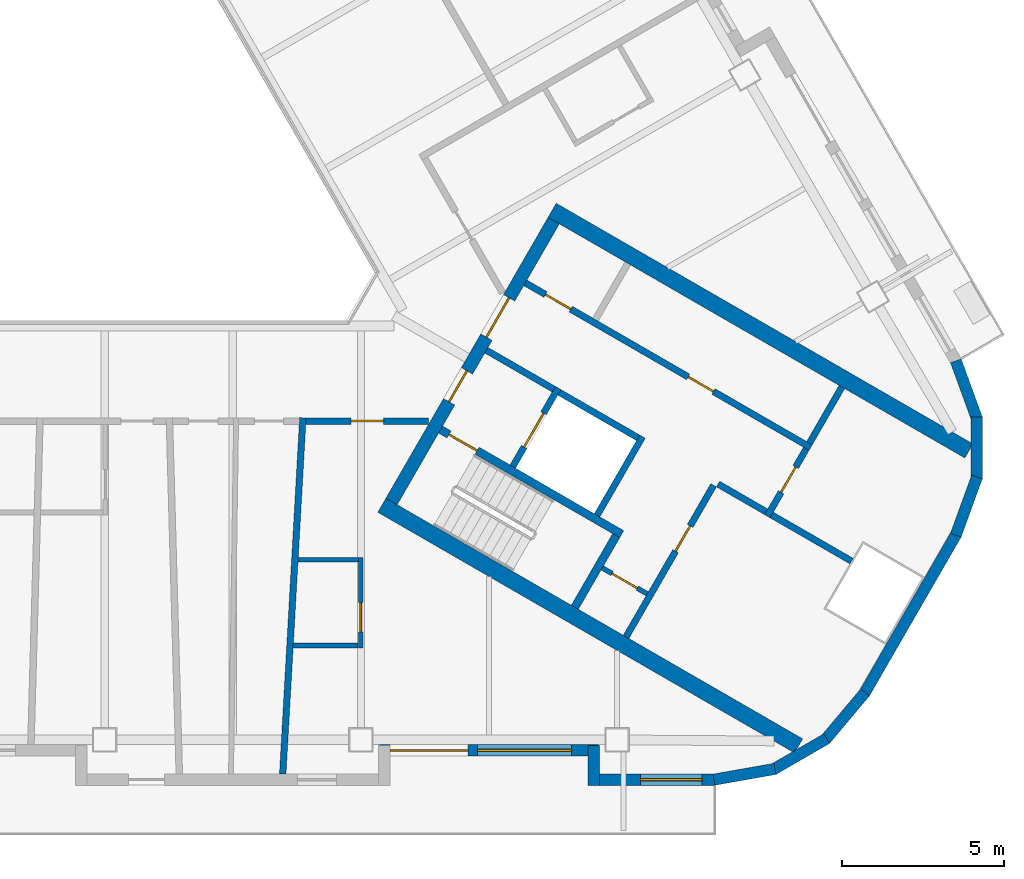
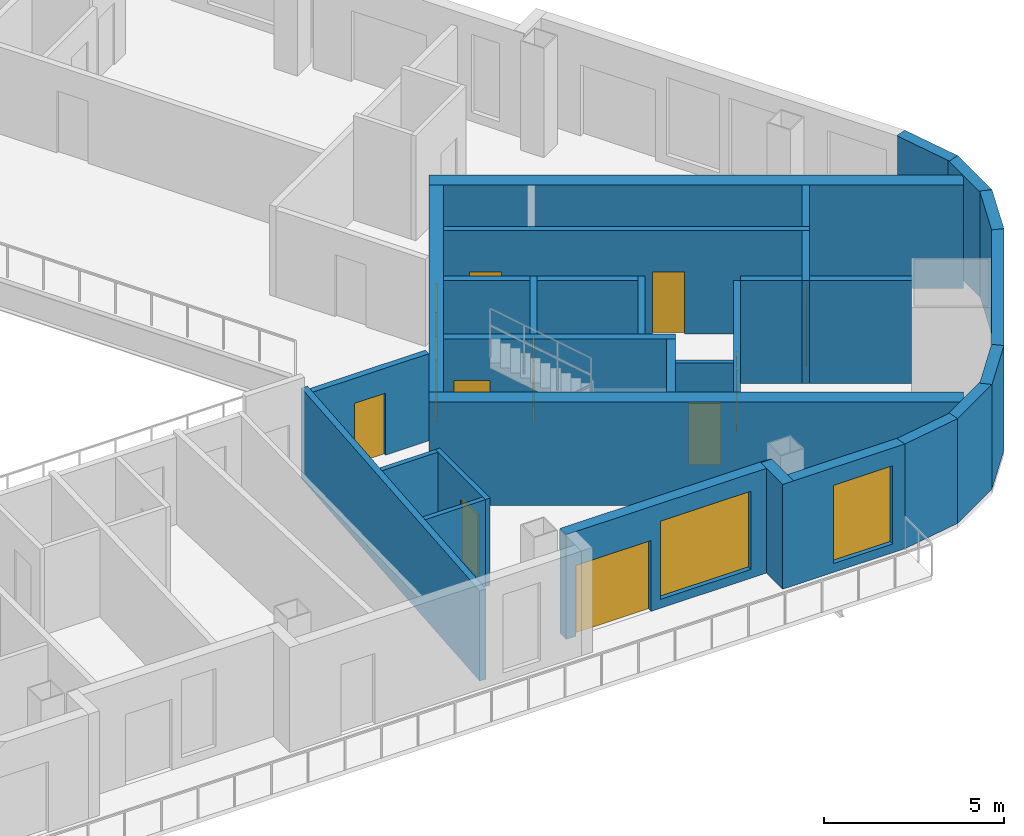
# One storey, part 5 of 14: 31 walls, 12 doors, 2 windows, 14 openings.
"""IFC4 building model written with IfcOpenShell, lengths in metres."""

from ifc_helpers import new_model, si_unit, direction, frame, frame_2d, origin, place, context, subcontext, project, spatial, rectangle, extrude, material, layer, layer_set, type_object, element, fill, save


model = new_model("IFC4")

# Units and contexts
model_context = context("Model", 3, precision=1e-05, world=origin(), true_north=direction((0.0, 1.0)))
body_context = subcontext(model_context, "Body", "Model", "MODEL_VIEW")
ifc_project = project(units=[si_unit("LENGTHUNIT", "METRE"), si_unit("AREAUNIT", "SQUARE_METRE"), si_unit("VOLUMEUNIT", "CUBIC_METRE"), si_unit("PLANEANGLEUNIT", "RADIAN"), si_unit("MASSUNIT", "GRAM", prefix="KILO")], contexts=[model_context])

# Site, building, storey
site_placement = place(None, origin())
site = spatial("IfcSite", under=ifc_project, at=site_placement, CompositionType="ELEMENT")
building_placement = place(site_placement, origin())
building = spatial("IfcBuilding", under=site, at=building_placement, Name="Apuvela Tower Hotel", CompositionType="ELEMENT")
storey_placement = place(building_placement, frame((0.0, 0.0, 216.89990234375)))
storey = spatial("IfcBuildingStorey", under=building, at=storey_placement, Name="L53", CompositionType="ELEMENT", Elevation=216.89990234375)

# Wall, openings, doors
ifc_material_1 = material(Name="Concrete C50/60", Category="concrete")
ifc_layer_1 = layer(ifc_material_1, 0.39990234375)
ifc_layer_set_1 = layer_set([ifc_layer_1], Name="COR-WALL-CORE-400")
wall_type_1 = type_object("IfcWallType", Name="COR-WALL-CORE-400", PredefinedType="SHEAR", material=ifc_layer_set_1)
wall_1_placement = place(storey_placement, frame((8.844970703125, -10.880126953125, 0.0), z_axis=(0.0, 0.0, 1.0), x_axis=(0.500004234368, 0.866022959057, 0.0)))
wall_1 = element("IfcWall", 1, at=wall_1_placement, inside=storey, type_object=wall_type_1, Name="Core wall SE", PredefinedType="SHEAR", context=body_context, shape_type="SweptSolid", body=[
    extrude(rectangle(XDim=10.0, YDim=0.39990234375, at=frame_2d((5.0, 0.0))), origin(), (0.0, 0.0, 1.0), 3.5),
])
opening_1_placement = place(wall_1_placement, frame((3.550048828125, 0.0, 0.0)))
opening_1 = element("IfcOpeningElement", 2, at=opening_1_placement, cuts=wall_1, Name="Opening E-FD", PredefinedType="OPENING", context=body_context, shape_type="SweptSolid", body=[
    extrude(rectangle(XDim=1.10009765625, YDim=2.10009765625, at=frame_2d((0.550048828125, 1.050048828125))), frame((0.0, 0.2099609375, 0.0), z_axis=(0.0, -1.0, 0.0), x_axis=(1.0, 0.0, 0.0)), (0.0, 0.0, 1.0), 0.419921875),
])
opening_2_placement = place(wall_1_placement, frame((5.85009765625, 0.0, 0.0)))
opening_2 = element("IfcOpeningElement", 3, at=opening_2_placement, cuts=wall_1, Name="Opening E-GD", PredefinedType="OPENING", context=body_context, shape_type="SweptSolid", body=[
    extrude(rectangle(XDim=1.39990234375, YDim=2.10009765625, at=frame_2d((0.699951171875, 1.050048828125))), frame((0.0, 0.2099609375, 0.0), z_axis=(0.0, -1.0, 0.0), x_axis=(1.0, 0.0, 0.0)), (0.0, 0.0, 1.0), 0.419921875),
])
ifc_material_2 = material(Name="Steel fire door, powder coated", Category="steel")
door_type_1 = type_object("IfcDoorType", Name="COR-FD-1100", OperationType="NOTDEFINED", PredefinedType="DOOR", material=ifc_material_2)
door_1_placement = place(opening_1_placement, frame((1.10009765625, 0.0, 0.0), z_axis=(0.0, 0.0, 1.0), x_axis=(-1.0, 0.0, 0.0)))
door_1 = element("IfcDoor", 4, at=door_1_placement, inside=storey, type_object=door_type_1, Name="Firefighting lobby door E-FD", OperationType="SINGLE_SWING_LEFT", OverallHeight=2.10009765625, OverallWidth=1.10009765625, PredefinedType="DOOR", context=body_context, shape_type="SweptSolid", body=[
    extrude(rectangle(XDim=1.10009765625, YDim=2.10009765625, at=frame_2d((0.550048828125, 1.050048828125))), frame((0.0, 0.02490234375, 0.0), z_axis=(0.0, -1.0, 0.0), x_axis=(1.0, 0.0, 0.0)), (0.0, 0.0, 1.0), 0.050048828125),
])
fill(opening_1, door_1)
ifc_material_3 = material(Name="Glazed steel fire door", Category="steel")
door_type_2 = type_object("IfcDoorType", Name="COR-GD-1400", OperationType="DOUBLE_DOOR_SINGLE_SWING", PredefinedType="DOOR", material=ifc_material_3)
door_2_placement = place(opening_2_placement, frame((1.39990234375, 0.0, 0.0), z_axis=(0.0, 0.0, 1.0), x_axis=(-1.0, 0.0, 0.0)))
door_2 = element("IfcDoor", 5, at=door_2_placement, inside=storey, type_object=door_type_2, Name="Lift lobby door E-GD", OperationType="DOUBLE_DOOR_SINGLE_SWING", OverallHeight=2.10009765625, OverallWidth=1.39990234375, PredefinedType="DOOR", context=body_context, shape_type="SweptSolid", body=[
    extrude(rectangle(XDim=1.39990234375, YDim=2.10009765625, at=frame_2d((0.699951171875, 1.050048828125))), frame((0.0, 0.02490234375, 0.0), z_axis=(0.0, -1.0, 0.0), x_axis=(1.0, 0.0, 0.0)), (0.0, 0.0, 1.0), 0.050048828125),
])
fill(opening_2, door_2)

# Walls
ifc_layer_2 = layer(ifc_material_1, 0.5)
ifc_layer_set_2 = layer_set([ifc_layer_2], Name="COR-WALL-CORE-500")
wall_type_2 = type_object("IfcWallType", Name="COR-WALL-CORE-500", PredefinedType="SHEAR", material=ifc_layer_set_2)
for number, where, z_axis, x_axis, name in (
    (6, (8.546630859375, -10.99658203125, 0.0), (0.0, 0.0, 1.0), (0.866025009528, -0.500000682871, 0.0), "Core wall SE"),
    (7, (13.796630859375, -1.9033203125, 0.0), (0.0, 0.0, 1.0), (0.866025009528, -0.500000682871, 0.0), "Core wall SE"),
):
    element("IfcWall", number, at=place(storey_placement, frame(where, z_axis=z_axis, x_axis=x_axis)), inside=storey, type_object=wall_type_2, Name=name, PredefinedType="SHEAR", context=body_context, shape_type="SweptSolid", body=[
        extrude(rectangle(XDim=14.8369140625, YDim=0.5, at=frame_2d((7.41845703125, 0.0))), origin(), (0.0, 0.0, 1.0), 3.5),
    ])

# Wall, opening, door
ifc_material_4 = material(Name="Blockwork 150 mm plastered", Category="masonry")
ifc_layer_3 = layer(ifc_material_4, 0.14990234375)
ifc_layer_set_3 = layer_set([ifc_layer_3], Name="COR-WALL-PART-150")
wall_type_3 = type_object("IfcWallType", Name="COR-WALL-PART-150", PredefinedType="PARTITIONING", material=ifc_layer_set_3)
wall_2_placement = place(storey_placement, frame((15.341552734375, -12.927734375, 0.0), z_axis=(0.0, 0.0, 1.0), x_axis=(0.865989903783, -0.500061482766, 0.0)))
wall_2 = element("IfcWall", 8, at=wall_2_placement, inside=storey, type_object=wall_type_3, Name="Partition SE", PredefinedType="PARTITIONING", context=body_context, shape_type="SweptSolid", body=[
    extrude(rectangle(XDim=1.599853515625, YDim=0.14990234375, at=frame_2d((0.7998046875, 0.0))), origin(), (0.0, 0.0, 1.0), 3.5),
])
opening_3_placement = place(wall_2_placement, frame((0.35009765625, 0.0, 0.0)))
opening_3 = element("IfcOpeningElement", 9, at=opening_3_placement, cuts=wall_2, Name="Opening E-RD", PredefinedType="OPENING", context=body_context, shape_type="SweptSolid", body=[
    extrude(rectangle(XDim=0.89990234375, YDim=2.10009765625, at=frame_2d((0.449951171875, 1.050048828125))), frame((0.0, 0.0849609375, 0.0), z_axis=(0.0, -1.0, 0.0), x_axis=(1.0, 0.0, 0.0)), (0.0, 0.0, 1.0), 0.169921875),
])
ifc_material_5 = material(Name="Steel access door, powder coated", Category="steel")
door_type_3 = type_object("IfcDoorType", Name="COR-RD-900", OperationType="NOTDEFINED", PredefinedType="DOOR", material=ifc_material_5)
door_3_placement = place(opening_3_placement, frame((0.89990234375, 0.0, 0.0), z_axis=(0.0, 0.0, 1.0), x_axis=(-1.0, 0.0, 0.0)))
door_3 = element("IfcDoor", 10, at=door_3_placement, inside=storey, type_object=door_type_3, Name="Riser door E-RD", OperationType="SINGLE_SWING_LEFT", OverallHeight=2.10009765625, OverallWidth=0.89990234375, PredefinedType="DOOR", context=body_context, shape_type="SweptSolid", body=[
    extrude(rectangle(XDim=0.89990234375, YDim=2.10009765625, at=frame_2d((0.449951171875, 1.050048828125))), frame((0.0, 0.02490234375, 0.0), z_axis=(0.0, -1.0, 0.0), x_axis=(1.0, 0.0, 0.0)), (0.0, 0.0, 1.0), 0.050048828125),
])
fill(opening_3, door_3)

ifc_material_6 = material(Name="Blockwork 200 mm plastered", Category="masonry")
ifc_layer_4 = layer(ifc_material_6, 0.199951171875)
ifc_layer_set_4 = layer_set([ifc_layer_4], Name="COR-WALL-PART-200")
wall_type_4 = type_object("IfcWallType", Name="COR-WALL-PART-200", PredefinedType="PARTITIONING", material=ifc_layer_set_4)
wall_3_placement = place(storey_placement, frame((16.076171875, -15.05517578125, 0.0), z_axis=(0.0, 0.0, 1.0), x_axis=(0.499995103361, 0.866028230842, 0.0)))
wall_3 = element("IfcWall", 11, at=wall_3_placement, inside=storey, type_object=wall_type_4, Name="Partition SE", PredefinedType="PARTITIONING", context=body_context, shape_type="SweptSolid", body=[
    extrude(rectangle(XDim=5.39990234375, YDim=0.199951171875, at=frame_2d((2.699951171875, 0.0))), origin(), (0.0, 0.0, 1.0), 3.5),
])
opening_4_placement = place(wall_3_placement, frame((3.050048828125, 0.0, 0.0)))
opening_4 = element("IfcOpeningElement", 12, at=opening_4_placement, cuts=wall_3, Name="Opening E-RS1", PredefinedType="OPENING", context=body_context, shape_type="SweptSolid", body=[
    extrude(rectangle(XDim=0.89990234375, YDim=2.10009765625, at=frame_2d((0.449951171875, 1.050048828125))), frame((0.0, 0.10986328125, 0.0), z_axis=(0.0, -1.0, 0.0), x_axis=(1.0, 0.0, 0.0)), (0.0, 0.0, 1.0), 0.219970703125),
])
door_type_4 = type_object("IfcDoorType", Name="COR-DR-900", OperationType="NOTDEFINED", PredefinedType="DOOR", material=ifc_material_2)
door_4_placement = place(opening_4_placement, frame((0.89990234375, 0.0, 0.0), z_axis=(0.0, 0.0, 1.0), x_axis=(-1.0, 0.0, 0.0)))
door_4 = element("IfcDoor", 13, at=door_4_placement, inside=storey, type_object=door_type_4, Name="Store door E-RS1", OperationType="SINGLE_SWING_LEFT", OverallHeight=2.10009765625, OverallWidth=0.89990234375, PredefinedType="DOOR", context=body_context, shape_type="SweptSolid", body=[
    extrude(rectangle(XDim=0.89990234375, YDim=2.10009765625, at=frame_2d((0.449951171875, 1.050048828125))), frame((0.0, 0.02490234375, 0.0), z_axis=(0.0, -1.0, 0.0), x_axis=(1.0, 0.0, 0.0)), (0.0, 0.0, 1.0), 0.050048828125),
])
fill(opening_4, door_4)

# Wall
ifc_layer_5 = layer(ifc_material_1, 0.199951171875)
ifc_layer_set_5 = layer_set([ifc_layer_5], Name="COR-WALL-SHAFT-200")
wall_type_5 = type_object("IfcWallType", Name="COR-WALL-SHAFT-200", PredefinedType="SHEAR", material=ifc_layer_set_5)
wall_4_placement = place(storey_placement, frame((15.181396484375, -11.305419921875, 0.0), z_axis=(0.0, 0.0, 1.0), x_axis=(0.49994636267, 0.866056369097, 0.0)))
element("IfcWall", 14, at=wall_4_placement, inside=storey, type_object=wall_type_5, Name="Shaft wall SE", PredefinedType="SHEAR", context=body_context, shape_type="SweptSolid", body=[
    extrude(rectangle(XDim=2.800048828125, YDim=0.199951171875, at=frame_2d((1.39990234375, 0.0))), origin(), (0.0, 0.0, 1.0), 3.5),
])

# Wall, opening, door
wall_5_placement = place(storey_placement, frame((12.583251953125, -9.805419921875, 0.0), z_axis=(0.0, 0.0, 1.0), x_axis=(0.49994636267, 0.866056369097, 0.0)))
wall_5 = element("IfcWall", 15, at=wall_5_placement, inside=storey, type_object=wall_type_5, Name="Shaft wall SE", PredefinedType="SHEAR", context=body_context, shape_type="SweptSolid", body=[
    extrude(rectangle(XDim=2.800048828125, YDim=0.199951171875, at=frame_2d((1.39990234375, 0.0))), origin(), (0.0, 0.0, 1.0), 3.5),
])
opening_5_placement = place(wall_5_placement, frame((0.699951171875, 0.0, 0.0)))
opening_5 = element("IfcOpeningElement", 16, at=opening_5_placement, cuts=wall_5, Name="Opening E-LD-FS3", PredefinedType="OPENING", context=body_context, shape_type="SweptSolid", body=[
    extrude(rectangle(XDim=1.199951171875, YDim=2.10009765625, at=frame_2d((0.60009765625, 1.050048828125))), frame((0.0, 0.10986328125, 0.0), z_axis=(0.0, -1.0, 0.0), x_axis=(1.0, 0.0, 0.0)), (0.0, 0.0, 1.0), 0.219970703125),
])
ifc_material_7 = material(Name="Stainless steel lift landing door", Category="steel")
door_type_5 = type_object("IfcDoorType", Name="COR-LD-1200", OperationType="DOUBLE_DOOR_SLIDING", PredefinedType="DOOR", material=ifc_material_7)
door_5_placement = place(opening_5_placement, origin())
door_5 = element("IfcDoor", 17, at=door_5_placement, inside=storey, type_object=door_type_5, Name="Lift landing door E-LD-FS3", OperationType="DOUBLE_DOOR_SLIDING", OverallHeight=2.10009765625, OverallWidth=1.199951171875, PredefinedType="DOOR", context=body_context, shape_type="SweptSolid", body=[
    extrude(rectangle(XDim=1.199951171875, YDim=2.10009765625, at=frame_2d((0.60009765625, 1.050048828125))), frame((0.0, 0.02490234375, 0.0), z_axis=(0.0, -1.0, 0.0), x_axis=(1.0, 0.0, 0.0)), (0.0, 0.0, 1.0), 0.050048828125),
])
fill(opening_5, door_5)

# Walls
wall_6_placement = place(storey_placement, frame((11.76806640625, -6.217041015625, 0.0), z_axis=(0.0, 0.0, 1.0), x_axis=(0.866050077142, -0.499957262057, 0.0)))
element("IfcWall", 18, at=wall_6_placement, inside=storey, type_object=wall_type_5, Name="Shaft wall SE", PredefinedType="SHEAR", context=body_context, shape_type="SweptSolid", body=[
    extrude(rectangle(XDim=2.400146484375, YDim=0.199951171875, at=frame_2d((1.2001953125, 0.0))), origin(), (0.0, 0.0, 1.0), 3.5),
])
wall_7_placement = place(storey_placement, frame((14.019775390625, -7.51708984375, 0.0), z_axis=(0.0, 0.0, 1.0), x_axis=(0.866034573852, -0.49998411664, 0.0)))
element("IfcWall", 19, at=wall_7_placement, inside=storey, type_object=wall_type_5, Name="Shaft wall SE", PredefinedType="SHEAR", context=body_context, shape_type="SweptSolid", body=[
    extrude(rectangle(XDim=2.7998046875, YDim=0.199951171875, at=frame_2d((1.39990234375, 0.0))), origin(), (0.0, 0.0, 1.0), 3.5),
])

# Wall, openings, doors
wall_8_placement = place(storey_placement, frame((12.968017578125, -4.138427734375, 0.0), z_axis=(0.0, 0.0, 1.0), x_axis=(0.866028328073, -0.49999493495, 0.0)))
wall_8 = element("IfcWall", 20, at=wall_8_placement, inside=storey, type_object=wall_type_5, Name="Shaft wall SE", PredefinedType="SHEAR", context=body_context, shape_type="SweptSolid", body=[
    extrude(rectangle(XDim=10.16015625, YDim=0.199951171875, at=frame_2d((5.080078125, 0.0))), origin(), (0.0, 0.0, 1.0), 3.5),
])
opening_6_placement = place(wall_8_placement, frame((0.719970703125, 0.0, 0.0)))
opening_6 = element("IfcOpeningElement", 21, at=opening_6_placement, cuts=wall_8, Name="Opening E-RE1", PredefinedType="OPENING", context=body_context, shape_type="SweptSolid", body=[
    extrude(rectangle(XDim=0.89990234375, YDim=2.10009765625, at=frame_2d((0.449951171875, 1.050048828125))), frame((0.0, 0.10986328125, 0.0), z_axis=(0.0, -1.0, 0.0), x_axis=(1.0, 0.0, 0.0)), (0.0, 0.0, 1.0), 0.219970703125),
])
opening_7_placement = place(wall_8_placement, frame((5.800048828125, 0.0, 0.0)))
opening_7 = element("IfcOpeningElement", 22, at=opening_7_placement, cuts=wall_8, Name="Opening E-RE2", PredefinedType="OPENING", context=body_context, shape_type="SweptSolid", body=[
    extrude(rectangle(XDim=0.89990234375, YDim=2.10009765625, at=frame_2d((0.449951171875, 1.050048828125))), frame((0.0, 0.10986328125, 0.0), z_axis=(0.0, -1.0, 0.0), x_axis=(1.0, 0.0, 0.0)), (0.0, 0.0, 1.0), 0.219970703125),
])
door_6_placement = place(opening_6_placement, origin())
door_6 = element("IfcDoor", 23, at=door_6_placement, inside=storey, type_object=door_type_4, Name="Store door E-RE1", OperationType="SINGLE_SWING_LEFT", OverallHeight=2.10009765625, OverallWidth=0.89990234375, PredefinedType="DOOR", context=body_context, shape_type="SweptSolid", body=[
    extrude(rectangle(XDim=0.89990234375, YDim=2.10009765625, at=frame_2d((0.449951171875, 1.050048828125))), frame((0.0, 0.02490234375, 0.0), z_axis=(0.0, -1.0, 0.0), x_axis=(1.0, 0.0, 0.0)), (0.0, 0.0, 1.0), 0.050048828125),
])
fill(opening_6, door_6)
door_7_placement = place(opening_7_placement, origin())
door_7 = element("IfcDoor", 24, at=door_7_placement, inside=storey, type_object=door_type_4, Name="Store door E-RE2", OperationType="SINGLE_SWING_LEFT", OverallHeight=2.10009765625, OverallWidth=0.89990234375, PredefinedType="DOOR", context=body_context, shape_type="SweptSolid", body=[
    extrude(rectangle(XDim=0.89990234375, YDim=2.10009765625, at=frame_2d((0.449951171875, 1.050048828125))), frame((0.0, 0.02490234375, 0.0), z_axis=(0.0, -1.0, 0.0), x_axis=(1.0, 0.0, 0.0)), (0.0, 0.0, 1.0), 0.050048828125),
])
fill(opening_7, door_7)

# Wall, opening, door
wall_9_placement = place(storey_placement, frame((20.430419921875, -11.33349609375, 0.0), z_axis=(0.0, 0.0, 1.0), x_axis=(0.500001309137, 0.866024647952, 0.0)))
wall_9 = element("IfcWall", 25, at=wall_9_placement, inside=storey, type_object=wall_type_5, Name="Shaft wall SE", PredefinedType="SHEAR", context=body_context, shape_type="SweptSolid", body=[
    extrude(rectangle(XDim=2.39990234375, YDim=0.199951171875, at=frame_2d((1.199951171875, 0.0))), origin(), (0.0, 0.0, 1.0), 3.5),
])
opening_8_placement = place(wall_9_placement, frame((0.85009765625, 0.0, 0.0)))
opening_8 = element("IfcOpeningElement", 26, at=opening_8_placement, cuts=wall_9, Name="Opening E-REP", PredefinedType="OPENING", context=body_context, shape_type="SweptSolid", body=[
    extrude(rectangle(XDim=0.89990234375, YDim=2.10009765625, at=frame_2d((0.449951171875, 1.050048828125))), frame((0.0, 0.10986328125, 0.0), z_axis=(0.0, -1.0, 0.0), x_axis=(1.0, 0.0, 0.0)), (0.0, 0.0, 1.0), 0.219970703125),
])
door_8_placement = place(opening_8_placement, frame((0.89990234375, 0.0, 0.0), z_axis=(0.0, 0.0, 1.0), x_axis=(-1.0, 0.0, 0.0)))
door_8 = element("IfcDoor", 27, at=door_8_placement, inside=storey, type_object=door_type_4, Name="Store door E-REP", OperationType="SINGLE_SWING_RIGHT", OverallHeight=2.10009765625, OverallWidth=0.89990234375, PredefinedType="DOOR", context=body_context, shape_type="SweptSolid", body=[
    extrude(rectangle(XDim=0.89990234375, YDim=2.10009765625, at=frame_2d((0.449951171875, 1.050048828125))), frame((0.0, 0.02490234375, 0.0), z_axis=(0.0, -1.0, 0.0), x_axis=(1.0, 0.0, 0.0)), (0.0, 0.0, 1.0), 0.050048828125),
])
fill(opening_8, door_8)

# Walls
wall_10_placement = place(storey_placement, frame((18.912841796875, -10.342041015625, 0.0), z_axis=(0.0, 0.0, 1.0), x_axis=(0.866038183914, -0.499977863513, 0.0)))
element("IfcWall", 28, at=wall_10_placement, inside=storey, type_object=wall_type_5, Name="Shaft wall SE", PredefinedType="SHEAR", context=body_context, shape_type="SweptSolid", body=[
    extrude(rectangle(XDim=1.7099609375, YDim=0.199951171875, at=frame_2d((0.85498046875, 0.0))), origin(), (0.0, 0.0, 1.0), 3.5),
])
wall_11_placement = place(storey_placement, frame((21.73046875, -9.081787109375, 0.0), z_axis=(0.0, 0.0, 1.0), x_axis=(0.50002537861, 0.866010750942, 0.0)))
element("IfcWall", 29, at=wall_11_placement, inside=storey, type_object=wall_type_5, Name="Shaft wall SE", PredefinedType="SHEAR", context=body_context, shape_type="SweptSolid", body=[
    extrude(rectangle(XDim=2.0, YDim=0.199951171875, at=frame_2d((1.0, 0.0))), origin(), (0.0, 0.0, 1.0), 3.5),
])
wall_12_placement = place(storey_placement, frame((20.56689453125, -11.297119140625, 0.0), z_axis=(0.0, 0.0, 1.0), x_axis=(0.866055327414, -0.49994816717, 0.0)))
element("IfcWall", 30, at=wall_12_placement, inside=storey, type_object=wall_type_5, Name="Shaft wall SE", PredefinedType="SHEAR", context=body_context, shape_type="SweptSolid", body=[
    extrude(rectangle(XDim=2.840087890625, YDim=0.199951171875, at=frame_2d((1.419921875, 0.0))), origin(), (0.0, 0.0, 1.0), 3.5),
])

# Wall, opening, door
ifc_layer_6 = layer(ifc_material_1, 0.25)
ifc_layer_set_6 = layer_set([ifc_layer_6], Name="COR-WALL-STAIR-250")
wall_type_6 = type_object("IfcWallType", Name="COR-WALL-STAIR-250", PredefinedType="SHEAR", material=ifc_layer_set_6)
wall_13_placement = place(storey_placement, frame((10.355712890625, -8.66357421875, 0.0), z_axis=(0.0, 0.0, 1.0), x_axis=(0.866028629588, -0.499994412703, 0.0)))
wall_13 = element("IfcWall", 31, at=wall_13_placement, inside=storey, type_object=wall_type_6, Name="Stair wall SE", PredefinedType="SHEAR", context=body_context, shape_type="SweptSolid", body=[
    extrude(rectangle(XDim=6.44970703125, YDim=0.25, at=frame_2d((3.224853515625, 0.0))), origin(), (0.0, 0.0, 1.0), 3.5),
])
opening_9_placement = place(wall_13_placement, frame((0.300048828125, 0.0, 0.0)))
opening_9 = element("IfcOpeningElement", 32, at=opening_9_placement, cuts=wall_13, Name="Opening E-SD", PredefinedType="OPENING", context=body_context, shape_type="SweptSolid", body=[
    extrude(rectangle(XDim=1.0, YDim=2.10009765625, at=frame_2d((0.5, 1.050048828125))), frame((0.0, 0.135009765625, 0.0), z_axis=(0.0, -1.0, 0.0), x_axis=(1.0, 0.0, 0.0)), (0.0, 0.0, 1.0), 0.27001953125),
])
door_type_6 = type_object("IfcDoorType", Name="COR-SD-1000", OperationType="NOTDEFINED", PredefinedType="DOOR", material=ifc_material_2)
door_9_placement = place(opening_9_placement, frame((1.0, 0.0, 0.0), z_axis=(0.0, 0.0, 1.0), x_axis=(-1.0, 0.0, 0.0)))
door_9 = element("IfcDoor", 33, at=door_9_placement, inside=storey, type_object=door_type_6, Name="Stair door E-SD", OperationType="SINGLE_SWING_LEFT", OverallHeight=2.10009765625, OverallWidth=1.0, PredefinedType="DOOR", context=body_context, shape_type="SweptSolid", body=[
    extrude(rectangle(XDim=1.0, YDim=2.10009765625, at=frame_2d((0.5, 1.050048828125))), frame((0.0, 0.02490234375, 0.0), z_axis=(0.0, -1.0, 0.0), x_axis=(1.0, 0.0, 0.0)), (0.0, 0.0, 1.0), 0.050048828125),
])
fill(opening_9, door_9)

# Wall
wall_14_placement = place(storey_placement, frame((14.49560546875, -14.142578125, 0.0), z_axis=(0.0, 0.0, 1.0), x_axis=(0.500062241894, 0.865989465428, 0.0)))
element("IfcWall", 34, at=wall_14_placement, inside=storey, type_object=wall_type_6, Name="Stair wall SE", PredefinedType="SHEAR", context=body_context, shape_type="SweptSolid", body=[
    extrude(rectangle(XDim=2.550048828125, YDim=0.25, at=frame_2d((1.27490234375, 0.0))), origin(), (0.0, 0.0, 1.0), 3.5),
])

# Wall, openings, door, window
ifc_material_8 = material(Name="Concrete C40/50, dark pigmented precast panel", Category="concrete")
ifc_layer_7 = layer(ifc_material_8, 0.35009765625)
ifc_layer_set_7 = layer_set([ifc_layer_7], Name="ENV-WALL-350")
wall_type_7 = type_object("IfcWallType", Name="ENV-WALL-350", PredefinedType="SOLIDWALL", material=ifc_layer_set_7)
wall_15_placement = place(storey_placement, frame((8.47998046875, -18.554931640625, 0.0), z_axis=(0.0, 0.0, 1.0), x_axis=(1.0, 0.0, 0.0)))
wall_15 = element("IfcWall", 35, at=wall_15_placement, inside=storey, type_object=wall_type_7, Name="External wall L53-23", PredefinedType="SOLIDWALL", context=body_context, shape_type="SweptSolid", body=[
    extrude(rectangle(XDim=6.739990234375, YDim=0.35009765625, at=frame_2d((3.3701171875, 0.0))), origin(), (0.0, 0.0, 1.0), 3.550048828125),
])
opening_10_placement = place(wall_15_placement, frame((0.3203125, 0.0, 0.0)))
opening_10 = element("IfcOpeningElement", 36, at=opening_10_placement, cuts=wall_15, Name="Opening BD24", PredefinedType="OPENING", context=body_context, shape_type="SweptSolid", body=[
    extrude(rectangle(XDim=2.39990234375, YDim=2.39990234375, at=frame_2d((1.199951171875, 1.199951171875))), frame((0.0, 0.18505859375, 0.0), z_axis=(0.0, -1.0, 0.0), x_axis=(1.0, 0.0, 0.0)), (0.0, 0.0, 1.0), 0.3701171875),
])
opening_11_placement = place(wall_15_placement, frame((3.020263671875, 0.0, 0.300048828125)))
opening_11 = element("IfcOpeningElement", 37, at=opening_11_placement, cuts=wall_15, Name="Opening WN29", PredefinedType="OPENING", context=body_context, shape_type="SweptSolid", body=[
    extrude(rectangle(XDim=2.89990234375, YDim=2.64990234375, at=frame_2d((1.449951171875, 1.324951171875))), frame((0.0, 0.18505859375, 0.0), z_axis=(0.0, -1.0, 0.0), x_axis=(1.0, 0.0, 0.0)), (0.0, 0.0, 1.0), 0.3701171875),
])
ifc_material_9 = material(Name="Aluminium 6063-T6, dark bronze anodised frame with dark tinted laminated glass", Category="aluminium")
door_type_7 = type_object("IfcDoorType", Name="ENV-DOOR-BALCONY-2400x2400", OperationType="SLIDING_TO_LEFT", PredefinedType="DOOR", material=ifc_material_9)
door_10_placement = place(opening_10_placement, frame((2.39990234375, 0.0, 0.0), z_axis=(0.0, 0.0, 1.0), x_axis=(-1.0, 0.0, 0.0)))
door_10 = element("IfcDoor", 38, at=door_10_placement, inside=storey, type_object=door_type_7, Name="Balcony door BD24", OperationType="SLIDING_TO_LEFT", OverallHeight=2.39990234375, OverallWidth=2.39990234375, PredefinedType="DOOR", context=body_context, shape_type="SweptSolid", body=[
    extrude(rectangle(XDim=2.39990234375, YDim=2.39990234375, at=frame_2d((1.199951171875, 1.199951171875))), frame((0.0, 0.02490234375, 0.0), z_axis=(0.0, -1.0, 0.0), x_axis=(1.0, 0.0, 0.0)), (0.0, 0.0, 1.0), 0.050048828125),
])
fill(opening_10, door_10)
ifc_material_10 = material(Name="Glass, dark tinted laminated insulated glazing unit", Category="glass")
window_type_1 = type_object("IfcWindowType", Name="ENV-WIN-2900x2650", PartitioningType="SINGLE_PANEL", PredefinedType="WINDOW", material=ifc_material_10)
window_1_placement = place(opening_11_placement, origin())
window_1 = element("IfcWindow", 39, at=window_1_placement, inside=storey, type_object=window_type_1, Name="Window WN29", OverallHeight=2.64990234375, OverallWidth=2.89990234375, PartitioningType="SINGLE_PANEL", PredefinedType="WINDOW", context=body_context, shape_type="SweptSolid", body=[
    extrude(rectangle(XDim=2.89990234375, YDim=2.64990234375, at=frame_2d((1.449951171875, 1.324951171875))), frame((0.0, 0.030029296875, 0.0), z_axis=(0.0, -1.0, 0.0), x_axis=(1.0, 0.0, 0.0)), (0.0, 0.0, 1.0), 0.06005859375),
])
fill(opening_11, window_1)

# Wall
wall_16_placement = place(storey_placement, frame((15.074951171875, -18.409912109375, 0.0), z_axis=(0.0, 0.0, 1.0), x_axis=(0.0, -1.0, 0.0)))
element("IfcWall", 40, at=wall_16_placement, inside=storey, type_object=wall_type_7, Name="External wall L53-24", PredefinedType="SOLIDWALL", context=body_context, shape_type="SweptSolid", body=[
    extrude(rectangle(XDim=1.219970703125, YDim=0.35009765625, at=frame_2d((0.60986328125, 0.0))), origin(), (0.0, 0.0, 1.0), 3.550048828125),
])

# Wall, opening, window
wall_17_placement = place(storey_placement, frame((14.89990234375, -19.455078125, 0.0), z_axis=(0.0, 0.0, 1.0), x_axis=(1.0, 0.0, 0.0)))
wall_17 = element("IfcWall", 41, at=wall_17_placement, inside=storey, type_object=wall_type_7, Name="External wall L53-25", PredefinedType="SOLIDWALL", context=body_context, shape_type="SweptSolid", body=[
    extrude(rectangle(XDim=3.916015625, YDim=0.35009765625, at=frame_2d((1.9580078125, 0.0))), origin(), (0.0, 0.0, 1.0), 3.550048828125),
])
opening_12_placement = place(wall_17_placement, frame((1.624755859375, 0.0, 0.300048828125)))
opening_12 = element("IfcOpeningElement", 42, at=opening_12_placement, cuts=wall_17, Name="Opening WN19", PredefinedType="OPENING", context=body_context, shape_type="SweptSolid", body=[
    extrude(rectangle(XDim=1.89990234375, YDim=2.64990234375, at=frame_2d((0.949951171875, 1.324951171875))), frame((0.0, 0.18505859375, 0.0), z_axis=(0.0, -1.0, 0.0), x_axis=(1.0, 0.0, 0.0)), (0.0, 0.0, 1.0), 0.3701171875),
])
window_type_2 = type_object("IfcWindowType", Name="ENV-WIN-1900x2650", PartitioningType="SINGLE_PANEL", PredefinedType="WINDOW", material=ifc_material_10)
window_2_placement = place(opening_12_placement, origin())
window_2 = element("IfcWindow", 43, at=window_2_placement, inside=storey, type_object=window_type_2, Name="Window WN19", OverallHeight=2.64990234375, OverallWidth=1.89990234375, PartitioningType="SINGLE_PANEL", PredefinedType="WINDOW", context=body_context, shape_type="SweptSolid", body=[
    extrude(rectangle(XDim=1.89990234375, YDim=2.64990234375, at=frame_2d((0.949951171875, 1.324951171875))), frame((0.0, 0.030029296875, 0.0), z_axis=(0.0, -1.0, 0.0), x_axis=(1.0, 0.0, 0.0)), (0.0, 0.0, 1.0), 0.06005859375),
])
fill(opening_12, window_2)

# Walls
wall_18_placement = place(storey_placement, frame((18.785400390625, -19.457763671875, 0.0), z_axis=(0.0, 0.0, 1.0), x_axis=(0.984798995425, 0.173697837091, 0.0)))
element("IfcWall", 44, at=wall_18_placement, inside=storey, type_object=wall_type_7, Name="External wall L53-26", PredefinedType="SOLIDWALL", context=body_context, shape_type="SweptSolid", body=[
    extrude(rectangle(XDim=1.91015625, YDim=0.35009765625, at=frame_2d((0.955078125, 0.0))), origin(), (0.0, 0.0, 1.0), 3.550048828125),
])
for number, where, z_axis, x_axis, name in (
    (45, (20.609619140625, -19.146728515625, 0.0), (0.0, 0.0, 1.0), (0.866000389056, 0.500043324278, 0.0), "External wall L53-27"),
    (46, (22.21728515625, -18.230712890625, 0.0), (0.0, 0.0, 1.0), (0.642733291068, 0.76609001857, 0.0), "External wall L53-28"),
):
    element("IfcWall", number, at=place(storey_placement, frame(where, z_axis=z_axis, x_axis=x_axis)), inside=storey, type_object=wall_type_7, Name=name, PredefinedType="SOLIDWALL", context=body_context, shape_type="SweptSolid", body=[
        extrude(rectangle(XDim=1.909912109375, YDim=0.35009765625, at=frame_2d((0.955078125, 0.0))), origin(), (0.0, 0.0, 1.0), 3.550048828125),
    ])
wall_19_placement = place(storey_placement, frame((23.427490234375, -16.79248046875, 0.0), z_axis=(0.0, 0.0, 1.0), x_axis=(0.500018773155, 0.866014564827, 0.0)))
element("IfcWall", 47, at=wall_19_placement, inside=storey, type_object=wall_type_7, Name="External wall L53-29", PredefinedType="SOLIDWALL", context=body_context, shape_type="SweptSolid", body=[
    extrude(rectangle(XDim=5.657958984375, YDim=0.35009765625, at=frame_2d((2.8291015625, 0.0))), origin(), (0.0, 0.0, 1.0), 3.550048828125),
])
for number, where, z_axis, x_axis, name in (
    (48, (26.24365234375, -11.920166015625, 0.0), (0.0, 0.0, 1.0), (0.342030395486, 0.939688889242, 0.0), "External wall L53-30"),
    (49, (26.88623046875, -10.18505859375, 0.0), (0.0, 0.0, 1.0), (0.0, 1.0, 0.0), "External wall L53-31"),
    (50, (26.89697265625, -8.334716796875, 0.0), (0.0, 0.0, 1.0), (-0.342030395486, 0.939688889242, 0.0), "External wall L53-32"),
):
    element("IfcWall", number, at=place(storey_placement, frame(where, z_axis=z_axis, x_axis=x_axis)), inside=storey, type_object=wall_type_7, Name=name, PredefinedType="SOLIDWALL", context=body_context, shape_type="SweptSolid", body=[
        extrude(rectangle(XDim=1.91015625, YDim=0.35009765625, at=frame_2d((0.955078125, 0.0))), origin(), (0.0, 0.0, 1.0), 3.550048828125),
    ])
ifc_material_11 = material(Name="Gypsum board partition on twin steel stud", Category="steel")
ifc_layer_8 = layer(ifc_material_11, 0.199951171875)
ifc_layer_set_8 = layer_set([ifc_layer_8], Name="GST-PW1")
wall_type_8 = type_object("IfcWallType", Name="GST-PW1", PredefinedType="PARTITIONING", material=ifc_layer_set_8)
wall_20_placement = place(storey_placement, frame((5.489990234375, -19.280029296875, 0.0), z_axis=(0.0, 0.0, 1.0), x_axis=(0.056497863711, 0.998402720046, 0.0)))
element("IfcWall", 51, at=wall_20_placement, inside=storey, type_object=wall_type_8, Name="L53 partition 04", PredefinedType="PARTITIONING", context=body_context, shape_type="SweptSolid", body=[
    extrude(rectangle(XDim=10.99755859375, YDim=0.199951171875, at=frame_2d((5.498779296875, 0.0))), origin(), (0.0, 0.0, 1.0), 3.06005859375),
])

# Wall, opening, door
ifc_material_12 = material(Name="Gypsum board corridor wall on twin steel stud, acoustic", Category="steel")
ifc_layer_9 = layer(ifc_material_12, 0.199951171875)
ifc_layer_set_9 = layer_set([ifc_layer_9], Name="GST-PW2")
wall_type_9 = type_object("IfcWallType", Name="GST-PW2", PredefinedType="PARTITIONING", material=ifc_layer_set_9)
wall_21_placement = place(storey_placement, frame((9.98828125, -8.39990234375, 0.0), z_axis=(0.0, 0.0, 1.0), x_axis=(-1.0, 0.0, 0.0)))
wall_21 = element("IfcWall", 52, at=wall_21_placement, inside=storey, type_object=wall_type_9, Name="L53 partition 23", PredefinedType="PARTITIONING", context=body_context, shape_type="SweptSolid", body=[
    extrude(rectangle(XDim=3.782470703125, YDim=0.199951171875, at=frame_2d((1.89111328125, 0.0))), origin(), (0.0, 0.0, 1.0), 2.9501953125),
])
opening_13_placement = place(wall_21_placement, frame((1.39111328125, 0.0, 0.0)))
opening_13 = element("IfcOpeningElement", 53, at=opening_13_placement, cuts=wall_21, Name="Opening GD21-10", PredefinedType="OPENING", context=body_context, shape_type="SweptSolid", body=[
    extrude(rectangle(XDim=1.0, YDim=2.10009765625, at=frame_2d((0.5, 1.050048828125))), frame((0.0, 0.10986328125, 0.0), z_axis=(0.0, -1.0, 0.0), x_axis=(1.0, 0.0, 0.0)), (0.0, 0.0, 1.0), 0.219970703125),
])
ifc_material_13 = material(Name="Timber door leaf in steel frame", Category="steel")
door_type_8 = type_object("IfcDoorType", Name="GST-D1", OperationType="NOTDEFINED", PredefinedType="DOOR", material=ifc_material_13)
door_11_placement = place(opening_13_placement, origin())
door_11 = element("IfcDoor", 54, at=door_11_placement, inside=storey, type_object=door_type_8, Name="Door L53-10", OperationType="SINGLE_SWING_RIGHT", OverallHeight=2.10009765625, OverallWidth=1.0, PredefinedType="DOOR", context=body_context, shape_type="SweptSolid", body=[
    extrude(rectangle(XDim=1.0, YDim=2.10009765625, at=frame_2d((0.5, 1.050048828125))), frame((0.0, 0.02490234375, 0.0), z_axis=(0.0, -1.0, 0.0), x_axis=(1.0, 0.0, 0.0)), (0.0, 0.0, 1.0), 0.050048828125),
])
fill(opening_13, door_11)

ifc_material_14 = material(Name="Moisture-resistant gypsum board wet wall on steel stud", Category="steel")
ifc_layer_10 = layer(ifc_material_14, 0.14990234375)
ifc_layer_set_10 = layer_set([ifc_layer_10], Name="GST-PW3")
wall_type_10 = type_object("IfcWallType", Name="GST-PW3", PredefinedType="PARTITIONING", material=ifc_layer_set_10)
wall_22_placement = place(storey_placement, frame((7.893310546875, -15.39990234375, 0.0), z_axis=(0.0, 0.0, 1.0), x_axis=(0.0, 1.0, 0.0)))
wall_22 = element("IfcWall", 55, at=wall_22_placement, inside=storey, type_object=wall_type_10, Name="L53 partition 24", PredefinedType="PARTITIONING", context=body_context, shape_type="SweptSolid", body=[
    extrude(rectangle(XDim=2.7998046875, YDim=0.14990234375, at=frame_2d((1.39990234375, 0.0))), origin(), (0.0, 0.0, 1.0), 2.9501953125),
])
opening_14_placement = place(wall_22_placement, frame((0.5, 0.0, 0.0)))
opening_14 = element("IfcOpeningElement", 56, at=opening_14_placement, cuts=wall_22, Name="Opening GD21-09", PredefinedType="OPENING", context=body_context, shape_type="SweptSolid", body=[
    extrude(rectangle(XDim=0.89990234375, YDim=2.10009765625, at=frame_2d((0.449951171875, 1.050048828125))), frame((0.0, 0.0849609375, 0.0), z_axis=(0.0, -1.0, 0.0), x_axis=(1.0, 0.0, 0.0)), (0.0, 0.0, 1.0), 0.169921875),
])
door_type_9 = type_object("IfcDoorType", Name="GST-D2", OperationType="NOTDEFINED", PredefinedType="DOOR", material=ifc_material_13)
door_12_placement = place(opening_14_placement, origin())
door_12 = element("IfcDoor", 57, at=door_12_placement, inside=storey, type_object=door_type_9, Name="Door L53-09", OperationType="SINGLE_SWING_LEFT", OverallHeight=2.10009765625, OverallWidth=0.89990234375, PredefinedType="DOOR", context=body_context, shape_type="SweptSolid", body=[
    extrude(rectangle(XDim=0.89990234375, YDim=2.10009765625, at=frame_2d((0.449951171875, 1.050048828125))), frame((0.0, 0.02490234375, 0.0), z_axis=(0.0, -1.0, 0.0), x_axis=(1.0, 0.0, 0.0)), (0.0, 0.0, 1.0), 0.050048828125),
])
fill(opening_14, door_12)

# Walls
wall_23_placement = place(storey_placement, frame((5.81396484375, -15.324951171875, 0.0), z_axis=(0.0, 0.0, 1.0), x_axis=(1.0, 0.0, 0.0)))
element("IfcWall", 58, at=wall_23_placement, inside=storey, type_object=wall_type_10, Name="L53 partition 25", PredefinedType="PARTITIONING", context=body_context, shape_type="SweptSolid", body=[
    extrude(rectangle(XDim=2.004150390625, YDim=0.14990234375, at=frame_2d((1.001953125, 0.0))), origin(), (0.0, 0.0, 1.0), 2.9501953125),
])
wall_24_placement = place(storey_placement, frame((5.9638671875, -12.675048828125, 0.0), z_axis=(0.0, 0.0, 1.0), x_axis=(1.0, 0.0, 0.0)))
element("IfcWall", 59, at=wall_24_placement, inside=storey, type_object=wall_type_10, Name="L53 partition 26", PredefinedType="PARTITIONING", context=body_context, shape_type="SweptSolid", body=[
    extrude(rectangle(XDim=1.854248046875, YDim=0.14990234375, at=frame_2d((0.92724609375, 0.0))), origin(), (0.0, 0.0, 1.0), 2.9501953125),
])

save(model, "model.ifc")
